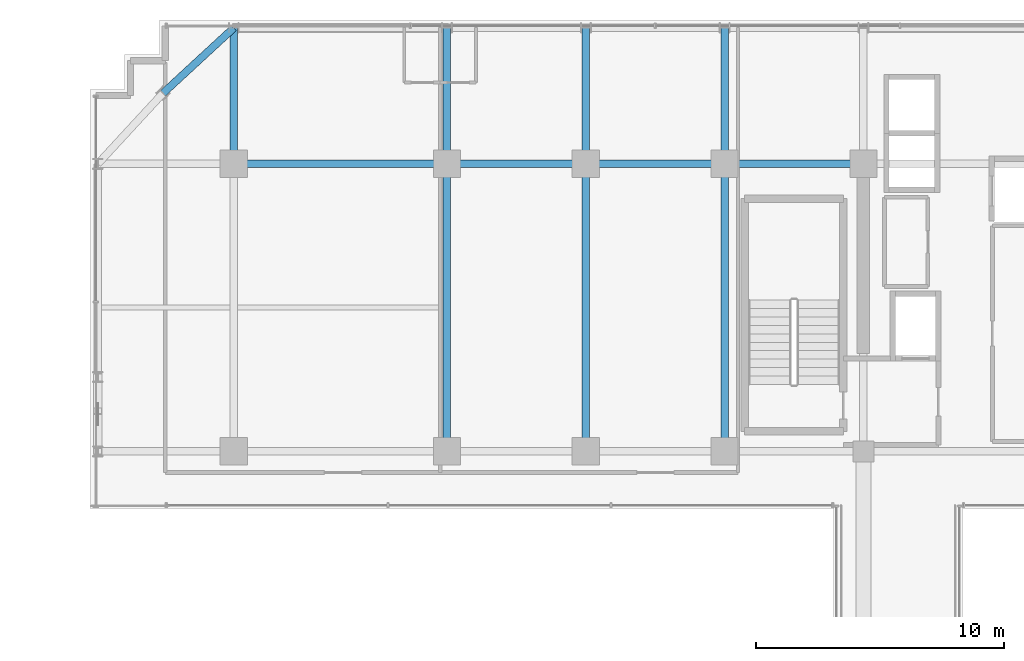
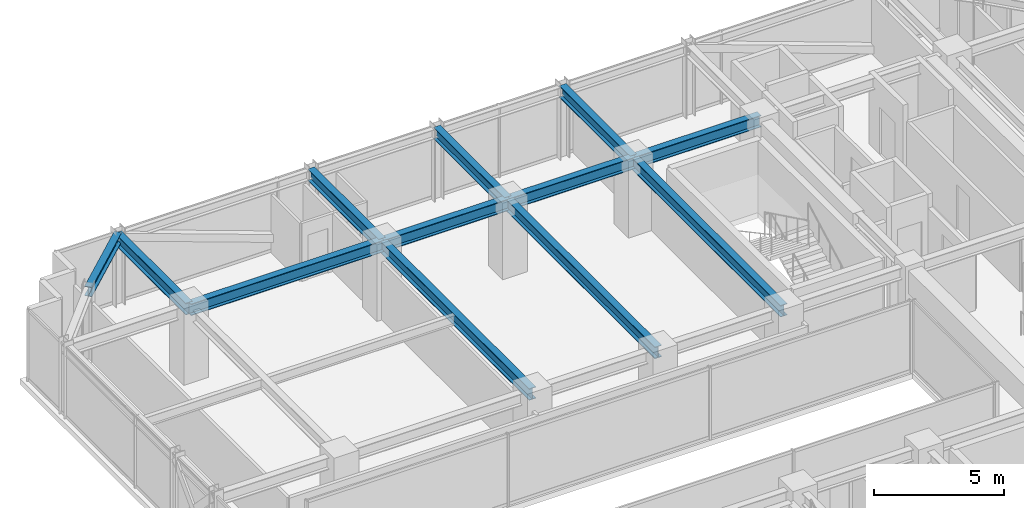
# One storey, part 22 of 36: 12 beams.
"""IFC4 building model written with IfcOpenShell, lengths in metres."""

from ifc_helpers import new_model, si_unit, direction, frame, origin, origin_2d, place, context, subcontext, project, spatial, i_section, extrude, source, transform, mapped, material, material_profile, profile_set, type_object, element, save


model = new_model("IFC4")

# Units and contexts
model_context = context("Model", 3, precision=1e-05, world=origin(), true_north=direction((0.0, 1.0)))
body_context = subcontext(model_context, "Body", "Model", "MODEL_VIEW")
ifc_project = project(units=[si_unit("LENGTHUNIT", "METRE"), si_unit("AREAUNIT", "SQUARE_METRE"), si_unit("VOLUMEUNIT", "CUBIC_METRE"), si_unit("PLANEANGLEUNIT", "RADIAN"), si_unit("MASSUNIT", "GRAM", prefix="KILO")], contexts=[model_context])

# Site, building, storey
site_placement = place(None, origin())
site = spatial("IfcSite", under=ifc_project, at=site_placement, CompositionType="ELEMENT")
building_placement = place(site_placement, origin())
building = spatial("IfcBuilding", under=site, at=building_placement, Name="Nahalor Promenade Grand Hotel", CompositionType="ELEMENT")
storey_placement = place(building_placement, frame((0.0, 0.0, 170.89990234375)))
storey = spatial("IfcBuildingStorey", under=building, at=storey_placement, Name="L43", CompositionType="ELEMENT", Elevation=170.89990234375)

# Beams
ifc_material = material(Name="Steel S355JR", Category="steel")
ifc_material_profile_1 = material_profile(ifc_material, i_section(OverallWidth=0.3, OverallDepth=0.55, WebThickness=0.015, FlangeThickness=0.029, at=origin_2d()), Name="HEB 550")
ifc_profile_set_1 = profile_set([ifc_material_profile_1], Name="Steel S355JR")
beam_type_1 = type_object("IfcBeamType", Name="Beam-Girder-HEB550", PredefinedType="BEAM", material=ifc_profile_set_1)
shared_shape_1 = source(origin(), body_context, "Body", "SweptSolid", [
    extrude(i_section(OverallWidth=0.3, OverallDepth=0.55, WebThickness=0.015, FlangeThickness=0.029, at=origin_2d()), origin(), (0.0, 0.0, 1.0), 8.60009765625),
])
beam_1_placement = place(storey_placement, frame((-17.0, 17.0, 3.114990234375), z_axis=(1.0, 0.0, 0.0), x_axis=(0.0, 1.0, 0.0)))
element("IfcBeam", 1, at=beam_1_placement, inside=storey, type_object=beam_type_1, Name="BM-L43-GX-3-1", PredefinedType="BEAM", context=body_context, shape_type="MappedRepresentation", body=[
    mapped(shared_shape_1, transform((0.0, 0.0, 0.0), scale=1.0)),
])
shared_shape_2 = source(origin(), body_context, "Body", "SweptSolid", [
    extrude(i_section(OverallWidth=0.3, OverallDepth=0.55, WebThickness=0.015, FlangeThickness=0.029, at=origin_2d()), origin(), (0.0, 0.0, 1.0), 5.599853515625),
])
for number, where, z_axis, x_axis, name in (
    (2, (-8.39990234375, 17.0, 3.114990234375), (1.0, 0.0, 0.0), (0.0, 1.0, 0.0), "BM-L43-GX-3-2"),
    (3, (2.800048828125, 17.0, 3.114990234375), (1.0, 0.0, 0.0), (0.0, 1.0, 0.0), "BM-L43-GX-3-4"),
):
    element("IfcBeam", number, at=place(storey_placement, frame(where, z_axis=z_axis, x_axis=x_axis)), inside=storey, type_object=beam_type_1, Name=name, PredefinedType="BEAM", context=body_context, shape_type="MappedRepresentation", body=[
        mapped(shared_shape_2, transform((0.0, 0.0, 0.0), scale=1.0)),
    ])
shared_shape_3 = source(origin(), body_context, "Body", "SweptSolid", [
    extrude(i_section(OverallWidth=0.3, OverallDepth=0.55, WebThickness=0.015, FlangeThickness=0.029, at=origin_2d()), origin(), (0.0, 0.0, 1.0), 5.60009765625),
])
beam_2_placement = place(storey_placement, frame((-2.800048828125, 17.0, 3.114990234375), z_axis=(1.0, 0.0, 0.0), x_axis=(0.0, 1.0, 0.0)))
element("IfcBeam", 4, at=beam_2_placement, inside=storey, type_object=beam_type_1, Name="BM-L43-GX-3-3", PredefinedType="BEAM", context=body_context, shape_type="MappedRepresentation", body=[
    mapped(shared_shape_3, transform((0.0, 0.0, 0.0), scale=1.0)),
])
shared_shape_4 = source(origin(), body_context, "Body", "SweptSolid", [
    extrude(i_section(OverallWidth=0.3, OverallDepth=0.55, WebThickness=0.015, FlangeThickness=0.029, at=origin_2d()), origin(), (0.0, 0.0, 1.0), 11.60009765625),
])
for number, where, z_axis, x_axis, name in (
    (5, (-8.39990234375, 5.39990234375, 3.114990234375), (0.0, 1.0, 0.0), (-1.0, 0.0, 0.0), "BM-L43-GY-1-3"),
    (6, (-2.800048828125, 5.39990234375, 3.114990234375), (0.0, 1.0, 0.0), (-1.0, 0.0, 0.0), "BM-L43-GY-2-3"),
    (7, (2.800048828125, 5.39990234375, 3.114990234375), (0.0, 1.0, 0.0), (-1.0, 0.0, 0.0), "BM-L43-GY-3-3"),
):
    element("IfcBeam", number, at=place(storey_placement, frame(where, z_axis=z_axis, x_axis=x_axis)), inside=storey, type_object=beam_type_1, Name=name, PredefinedType="BEAM", context=body_context, shape_type="MappedRepresentation", body=[
        mapped(shared_shape_4, transform((0.0, 0.0, 0.0), scale=1.0)),
    ])
shared_shape_5 = source(origin(), body_context, "Body", "SweptSolid", [
    extrude(i_section(OverallWidth=0.3, OverallDepth=0.55, WebThickness=0.015, FlangeThickness=0.029, at=origin_2d()), origin(), (0.0, 0.0, 1.0), 5.47998046875),
])
for number, where, z_axis, x_axis, name in (
    (8, (-17.0, 17.0, 3.114990234375), (0.0, 1.0, 0.0), (-1.0, 0.0, 0.0), "BM-L43-GY-0-4"),
    (9, (-8.39990234375, 17.0, 3.114990234375), (0.0, 1.0, 0.0), (-1.0, 0.0, 0.0), "BM-L43-GY-1-4"),
    (10, (-2.800048828125, 17.0, 3.114990234375), (0.0, 1.0, 0.0), (-1.0, 0.0, 0.0), "BM-L43-GY-2-4"),
    (11, (2.800048828125, 17.0, 3.114990234375), (0.0, 1.0, 0.0), (-1.0, 0.0, 0.0), "BM-L43-GY-3-4"),
):
    element("IfcBeam", number, at=place(storey_placement, frame(where, z_axis=z_axis, x_axis=x_axis)), inside=storey, type_object=beam_type_1, Name=name, PredefinedType="BEAM", context=body_context, shape_type="MappedRepresentation", body=[
        mapped(shared_shape_5, transform((0.0, 0.0, 0.0), scale=1.0)),
    ])
ifc_material_profile_2 = material_profile(ifc_material, i_section(OverallWidth=0.3, OverallDepth=0.45, WebThickness=0.014, FlangeThickness=0.026, at=origin_2d()), Name="HEB 450")
ifc_profile_set_2 = profile_set([ifc_material_profile_2], Name="Steel S355JR")
beam_type_2 = type_object("IfcBeamType", Name="Beam-Spandrel-HEB450", PredefinedType="SPANDREL", material=ifc_profile_set_2)
shared_shape_6 = source(origin(), body_context, "Body", "SweptSolid", [
    extrude(i_section(OverallWidth=0.3, OverallDepth=0.45, WebThickness=0.014, FlangeThickness=0.026, at=origin_2d()), origin(), (0.0, 0.0, 1.0), 3.878173828125),
])
beam_3_placement = place(storey_placement, frame((-17.0, 22.47998046875, 3.1650390625), z_axis=(-0.73492893846, -0.678144125843, 0.0), x_axis=(0.678144125843, -0.73492893846, 0.0)))
element("IfcBeam", 12, at=beam_3_placement, inside=storey, type_object=beam_type_2, Name="BM-L43-SPC-NW-1", PredefinedType="SPANDREL", context=body_context, shape_type="MappedRepresentation", body=[
    mapped(shared_shape_6, transform((0.0, 0.0, 0.0), scale=1.0)),
])

save(model, "model.ifc")
